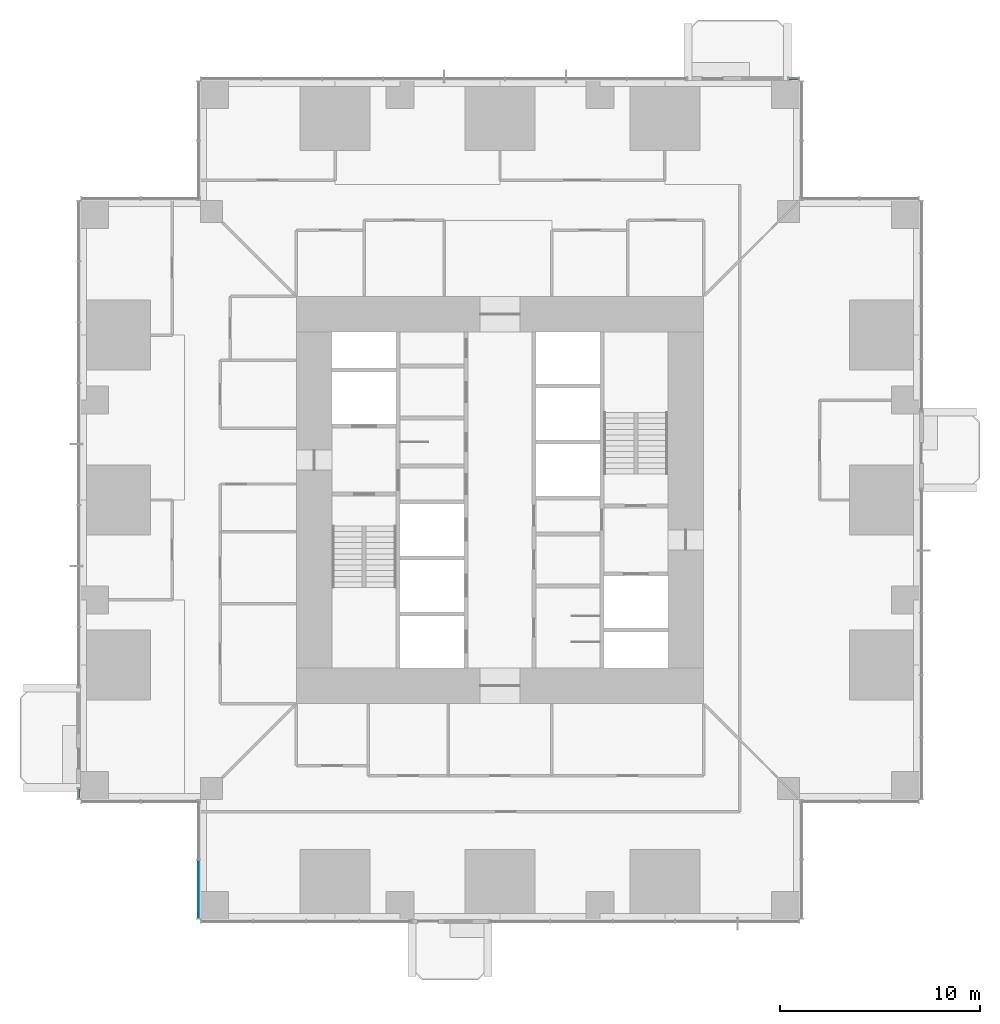
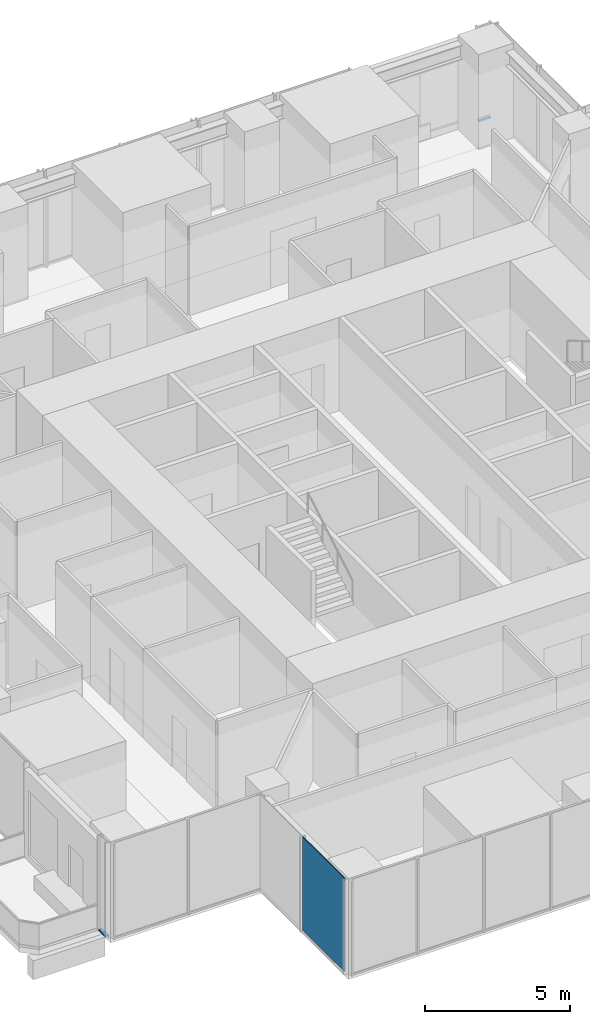
# One storey, part 7 of 17: 2 members, 1 plate, 3 elements without a shape of their own.
"""IFC4 building model written with IfcOpenShell, lengths in metres."""

import ifcopenshell
import ifcopenshell.guid

model = None  # the IFC model being written
_history = None  # IfcOwnerHistory: only IFC2X3 demands one
_inside = {}  # id of a spatial element -> (the spatial element, [elements in it])
_under = {}  # id of a project, library or spatial element -> (it, [spatial elements below it])
_declared = {}  # id of a project -> (the project, [libraries it declares])
_typed = {}  # id of a type object -> (the type object, [elements of that type])
_made_of = {}  # id of a material, layer set ... -> (it, [elements and type objects made of it])


def new_model(schema):
    """Start an empty IFC model of exactly this schema.

    Asked for "IFC4X3", IfcOpenShell would pick the latest addendum, in which some entities
    have other attributes; the version numbers below select the first issue.
    IFC2X3 requires an IfcOwnerHistory on every rooted entity: one is made here for all.
    """
    global model, _history
    if schema == "IFC4X3":
        model = ifcopenshell.file(schema_version=(4, 3, 0, 0))
    else:
        model = ifcopenshell.file(schema=schema)
    _inside.clear()
    _under.clear()
    _declared.clear()
    _typed.clear()
    _made_of.clear()
    _history = None
    if model.schema == "IFC2X3":
        org = make("IfcOrganization", Name="unknown")
        user = make(
            "IfcPersonAndOrganization",
            ThePerson=make("IfcPerson", FamilyName="unknown"),
            TheOrganization=org,
        )
        app = make(
            "IfcApplication",
            ApplicationDeveloper=org,
            Version="unknown",
            ApplicationFullName="unknown",
            ApplicationIdentifier="unknown",
        )
        _history = make(
            "IfcOwnerHistory",
            OwningUser=user,
            OwningApplication=app,
            ChangeAction="ADDED",
            CreationDate=0,
        )
    return model


def make(cls, **values):
    """One entity of the class cls with the attributes given. An attribute that is None is left unset."""
    return model.create_entity(
        cls, **{name: value for name, value in values.items() if value is not None}
    )


def rooted(cls, **values):
    """An entity with a GlobalId (a new one), such as an element, a storey or a relation."""
    return make(cls, GlobalId=ifcopenshell.guid.new(), OwnerHistory=_history, **values)


def si_unit(unit_type, name, prefix=None):
    """IfcSIUnit, for example si_unit("LENGTHUNIT", "METRE", prefix="MILLI")."""
    return make("IfcSIUnit", UnitType=unit_type, Prefix=prefix, Name=name)


def assignment(units):
    """IfcUnitAssignment: the units of a project."""
    return None if units is None else make("IfcUnitAssignment", Units=units)


def point(xyz):
    """IfcCartesianPoint."""
    return None if xyz is None else make("IfcCartesianPoint", Coordinates=xyz)


def direction(xyz):
    """IfcDirection."""
    return None if xyz is None else make("IfcDirection", DirectionRatios=xyz)


def frame(location, z_axis=None, x_axis=None):
    """IfcAxis2Placement3D, a coordinate frame: its origin and axes. An axis left out is left unset."""
    return make(
        "IfcAxis2Placement3D",
        Location=point(location),
        Axis=direction(z_axis),
        RefDirection=direction(x_axis),
    )


def frame_2d(location, x_axis=None):
    """IfcAxis2Placement2D, a coordinate frame in the plane: its origin and x axis."""
    return make(
        "IfcAxis2Placement2D", Location=point(location), RefDirection=direction(x_axis)
    )


def origin():
    """The frame at (0, 0, 0) with its axes left unset."""
    return frame((0.0, 0.0, 0.0))


def origin_2d():
    """The frame at (0, 0) in the plane with its x axis left unset."""
    return frame_2d((0.0, 0.0))


def place(relative_to, where):
    """IfcLocalPlacement: puts the frame where relative to a parent placement (None: the world)."""
    return make(
        "IfcLocalPlacement", PlacementRelTo=relative_to, RelativePlacement=where
    )


def context(
    kind, dimensions, precision=None, world=None, true_north=None, identifier=None
):
    """IfcGeometricRepresentationContext, for example the 3D "Model" context."""
    return make(
        "IfcGeometricRepresentationContext",
        ContextIdentifier=identifier,
        ContextType=kind,
        CoordinateSpaceDimension=dimensions,
        Precision=precision,
        WorldCoordinateSystem=world,
        TrueNorth=true_north,
    )


def subcontext(parent, identifier, kind, view, scale=None):
    """IfcGeometricRepresentationSubContext, for example "Body" below "Model"."""
    return make(
        "IfcGeometricRepresentationSubContext",
        ContextIdentifier=identifier,
        ContextType=kind,
        ParentContext=parent,
        TargetScale=scale,
        TargetView=view,
    )


def project(units=None, contexts=None):
    """IfcProject with its units and contexts."""
    return rooted(
        "IfcProject",
        Name="project",
        RepresentationContexts=contexts,
        UnitsInContext=assignment(units),
    )


def spatial(cls, under=None, at=None, **own):
    """A site, building, storey or space (cls), placed at a placement, below another one or the project."""
    s = rooted(cls, ObjectPlacement=at, **own)
    if under is not None:
        _under.setdefault(under.id(), (under, []))[1].append(s)
    return s


def profile(cls, at=None, kind="AREA", **sizes):
    """A parametric profile (cls). Its sizes go by their IFC names, for example OverallWidth=200.0."""
    return make(cls, ProfileType=kind, Position=at, **sizes)


def rectangle(**sizes):
    """IfcRectangleProfileDef."""
    return profile("IfcRectangleProfileDef", **sizes)


def extrude(swept, where, along, depth):
    """IfcExtrudedAreaSolid: the profile swept, set in the frame where, extruded along a direction by depth."""
    return make(
        "IfcExtrudedAreaSolid",
        SweptArea=swept,
        Position=where,
        ExtrudedDirection=direction(along),
        Depth=depth,
    )


def shape(context_of_items, identifier, shape_type, items):
    """IfcShapeRepresentation: the items that make up one representation, for example the "Body"."""
    return make(
        "IfcShapeRepresentation",
        ContextOfItems=context_of_items,
        RepresentationIdentifier=identifier,
        RepresentationType=shape_type,
        Items=items,
    )


def material(Name=None, Category=None):
    """IfcMaterial."""
    return make("IfcMaterial", Name=Name, Category=Category)


def layer(
    of_material, thickness, ventilated=None, Name=None, Category=None, Priority=None
):
    """IfcMaterialLayer: one layer of a wall or slab, of a material (None: an air gap)."""
    return make(
        "IfcMaterialLayer",
        Material=of_material,
        LayerThickness=thickness,
        IsVentilated=ventilated,
        Name=Name,
        Category=Category,
        Priority=Priority,
    )


def layer_set(layers, Name=None):
    """IfcMaterialLayerSet."""
    return make("IfcMaterialLayerSet", MaterialLayers=layers, LayerSetName=Name)


def material_profile(
    of_material, cross_section, Name=None, Category=None, Priority=None
):
    """IfcMaterialProfile: a cross section and its material."""
    return make(
        "IfcMaterialProfile",
        Name=Name,
        Material=of_material,
        Profile=cross_section,
        Priority=Priority,
        Category=Category,
    )


def profile_set(profiles, Name=None, composite=None):
    """IfcMaterialProfileSet."""
    return make(
        "IfcMaterialProfileSet",
        Name=Name,
        MaterialProfiles=profiles,
        CompositeProfile=composite,
    )


def made_of(thing, what):
    """Note that an element or type object is made of a material, layer set ...; save() writes the relation."""
    if what is not None:
        _made_of.setdefault(what.id(), (what, []))[1].append(thing)
    return thing


def type_object(cls, material=None, **own):
    """A type object (cls), such as IfcWallType, which elements share."""
    return made_of(rooted(cls, **own), material)


def element(
    cls,
    number,
    at=None,
    inside=None,
    cuts=None,
    type_object=None,
    material=None,
    context=None,
    identifier="Body",
    shape_type=None,
    held_by="IfcProductDefinitionShape",
    body=None,
    shapes=None,
    **own,
):
    """One element of the class cls, such as IfcWall. Its Tag is "e" and its number.

    at: its placement. inside: the storey or other place that contains it. cuts: it is an
    opening in that element (IfcRelVoidsElement). A single representation is given by context,
    identifier, shape_type and body (its items); several are given by shapes. held_by: the class
    of the entity that holds the representations. save() writes the other relations.
    """
    e = rooted(cls, Tag="e%d" % number, ObjectPlacement=at, **own)
    if body is not None:
        shapes = [shape(context, identifier, shape_type, body)]
    if shapes is not None:
        e.Representation = make(held_by, Representations=shapes)
    if inside is not None:
        _inside.setdefault(inside.id(), (inside, []))[1].append(e)
    if cuts is not None:
        rooted(
            "IfcRelVoidsElement", RelatingBuildingElement=cuts, RelatedOpeningElement=e
        )
    if type_object is not None:
        _typed.setdefault(type_object.id(), (type_object, []))[1].append(e)
    return made_of(e, material)


def aggregate(whole, parts):
    """IfcRelAggregates: a whole, such as a stair, and the parts it consists of."""
    return rooted("IfcRelAggregates", RelatingObject=whole, RelatedObjects=parts)


def save(model, path):
    """Write the relations noted so far, then the file.

    IfcRelAggregates (storeys below a building ...), IfcRelContainedInSpatialStructure (elements
    in a storey), IfcRelDefinesByType, IfcRelAssociatesMaterial and IfcRelDeclares: one each for
    every whole, place, type object, material and project.
    """
    for whole, parts in _under.values():
        aggregate(whole, parts)
    for where, things in _inside.values():
        rooted(
            "IfcRelContainedInSpatialStructure",
            RelatedElements=things,
            RelatingStructure=where,
        )
    for kind, things in _typed.values():
        rooted("IfcRelDefinesByType", RelatedObjects=things, RelatingType=kind)
    for what, things in _made_of.values():
        rooted("IfcRelAssociatesMaterial", RelatedObjects=things, RelatingMaterial=what)
    for by, libraries in _declared.values():
        rooted("IfcRelDeclares", RelatingContext=by, RelatedDefinitions=libraries)
    model.write(path)


model = new_model("IFC4")

# Units and contexts
model_context = context("Model", 3, precision=1e-05, world=origin(), true_north=direction((0.0, 1.0)))
body_context = subcontext(model_context, "Body", "Model", "MODEL_VIEW")
ifc_project = project(units=[si_unit("LENGTHUNIT", "METRE"), si_unit("AREAUNIT", "SQUARE_METRE"), si_unit("VOLUMEUNIT", "CUBIC_METRE"), si_unit("PLANEANGLEUNIT", "RADIAN"), si_unit("MASSUNIT", "GRAM", prefix="KILO")], contexts=[model_context])

# Site, building, storey
site_placement = place(None, origin())
site = spatial("IfcSite", under=ifc_project, at=site_placement, CompositionType="ELEMENT")
building_placement = place(site_placement, origin())
building = spatial("IfcBuilding", under=site, at=building_placement, Name="Svetlomir Tower", CompositionType="ELEMENT")
storey_placement = place(building_placement, frame((0.0, 0.0, 30.5)))
storey = spatial("IfcBuildingStorey", under=building, at=storey_placement, Name="L06", CompositionType="ELEMENT", Elevation=30.5)

# Curtain wall, member
ifc_material_1 = material(Name="Bronze anodised aluminium curtain wall", Category="aluminium")
curtain_wall_type = type_object("IfcCurtainWallType", Name="CURTAIN WALL CW1 TOWER OFFICE", PredefinedType="NOTDEFINED", material=ifc_material_1)
curtain_wall_1_placement = place(storey_placement, origin())
curtain_wall_1 = element("IfcCurtainWall", 1, at=curtain_wall_1_placement, inside=storey, type_object=curtain_wall_type, Name="Curtain wall CW1 L06", PredefinedType="NOTDEFINED")
ifc_material_2 = material(Name="Bronze anodised aluminium", Category="aluminium")
ifc_material_profile = material_profile(ifc_material_2, rectangle(XDim=0.139892578125, YDim=0.06494140625, at=origin_2d()), Name="AL 140x65")
ifc_profile_set = profile_set([ifc_material_profile], Name="Bronze anodised aluminium 6063-T6")
member_type = type_object("IfcMemberType", Name="CW1 TRANSOM 65x140", PredefinedType="USERDEFINED", material=ifc_profile_set)
member_1_placement = place(storey_placement, frame((35.93505859375, 42.10009765625, 0.032470703125), z_axis=(-1.0, 0.0, 0.0), x_axis=(0.0, -1.0, 0.0)))
member_1 = element("IfcMember", 2, at=member_1_placement, type_object=member_type, Name="CW1 transom 1.1", ObjectType="TRANSOM", PredefinedType="USERDEFINED", context=body_context, shape_type="SweptSolid", body=[
    extrude(rectangle(XDim=0.139892578125, YDim=0.06494140625, at=origin_2d()), origin(), (0.0, 0.0, 1.0), 0.469970703125),
])
aggregate(curtain_wall_1, [member_1])

curtain_wall_2_placement = place(storey_placement, origin())
curtain_wall_2 = element("IfcCurtainWall", 3, at=curtain_wall_2_placement, inside=storey, type_object=curtain_wall_type, Name="Curtain wall CW1 L06", PredefinedType="NOTDEFINED")
member_2_placement = place(storey_placement, frame((-0.10009765625, 6.534912109375, 0.032470703125), z_axis=(0.0, -1.0, 0.0), x_axis=(1.0, 0.0, 0.0)))
member_2 = element("IfcMember", 4, at=member_2_placement, type_object=member_type, Name="CW1 transom 1.1", ObjectType="TRANSOM", PredefinedType="USERDEFINED", context=body_context, shape_type="SweptSolid", body=[
    extrude(rectangle(XDim=0.139892578125, YDim=0.06494140625, at=origin_2d()), origin(), (0.0, 0.0, 1.0), 0.469970703125),
])
aggregate(curtain_wall_2, [member_2])

# Curtain wall, plate
curtain_wall_3_placement = place(storey_placement, origin())
curtain_wall_3 = element("IfcCurtainWall", 5, at=curtain_wall_3_placement, inside=storey, type_object=curtain_wall_type, Name="Curtain wall CW1 L06", PredefinedType="NOTDEFINED")
ifc_material_3 = material(Name="Tinted double glazed unit", Category="glass")
ifc_layer = layer(ifc_material_3, 0.031982421875)
ifc_layer_set = layer_set([ifc_layer], Name="Tinted double glazed unit")
plate_type = type_object("IfcPlateType", Name="CW1 GLAZED PANEL 32", PredefinedType="CURTAIN_PANEL", material=ifc_layer_set)
plate_placement = place(storey_placement, frame((5.89990234375, 1.516357421875, 0.06494140625), z_axis=(0.0, 0.0, 1.0), x_axis=(0.0, -1.0, 0.0)))
plate = element("IfcPlate", 6, at=plate_placement, type_object=plate_type, Name="CW1 panel 2.1", PredefinedType="CURTAIN_PANEL", context=body_context, shape_type="SweptSolid", body=[
    extrude(rectangle(XDim=2.902587890625, YDim=0.031982421875, at=origin_2d()), origin(), (0.0, 0.0, 1.0), 3.93505859375),
])
aggregate(curtain_wall_3, [plate])

save(model, "model.ifc")
